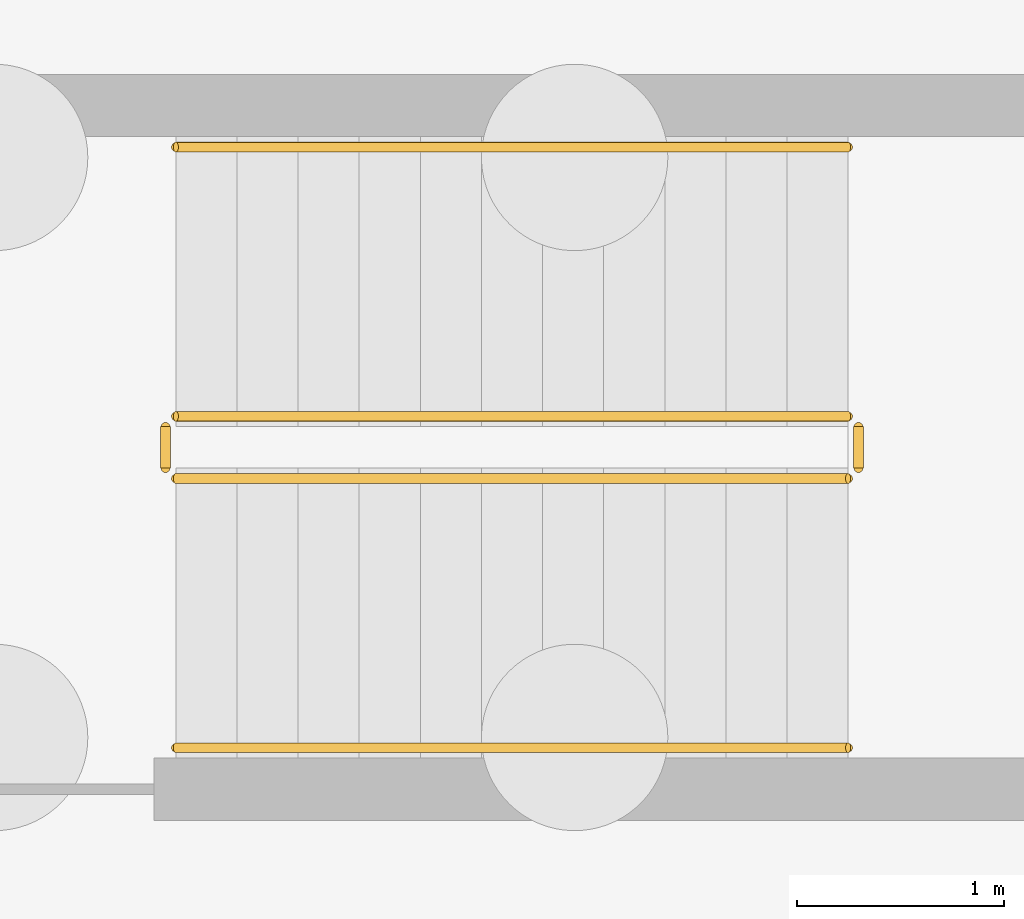
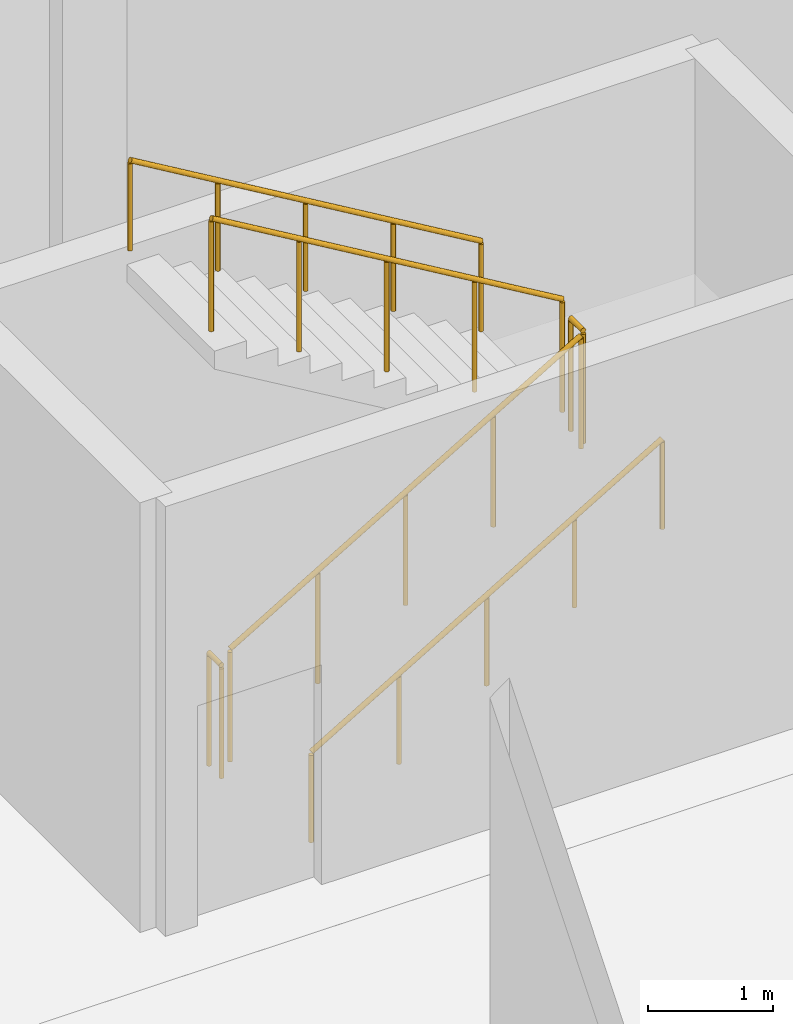
# One storey, part 42 of 43: 6 railings.
"""IFC4 building model written with IfcOpenShell, lengths in metres."""

from ifc_helpers import new_model, si_unit, direction, frame, origin, origin_2d, place, context, subcontext, project, spatial, circle, extrude, material, type_object, element, save


model = new_model("IFC4")

# Units and contexts
model_context = context("Model", 3, precision=1e-05, world=origin(), true_north=direction((0.0, 1.0)))
body_context = subcontext(model_context, "Body", "Model", "MODEL_VIEW")
ifc_project = project(units=[si_unit("LENGTHUNIT", "METRE"), si_unit("AREAUNIT", "SQUARE_METRE"), si_unit("VOLUMEUNIT", "CUBIC_METRE"), si_unit("PLANEANGLEUNIT", "RADIAN"), si_unit("MASSUNIT", "GRAM", prefix="KILO")], contexts=[model_context])

# Site, building, storey
site_placement = place(None, origin())
site = spatial("IfcSite", under=ifc_project, at=site_placement, CompositionType="ELEMENT")
building_placement = place(site_placement, origin())
building = spatial("IfcBuilding", under=site, at=building_placement, Name="Vespera Passage Community Centre", CompositionType="ELEMENT")
storey_placement = place(building_placement, frame((0.0, 0.0, -4.199951171875)))
storey = spatial("IfcBuildingStorey", under=building, at=storey_placement, Name="B1", CompositionType="ELEMENT", Elevation=-4.199951171875)

# Railings
ifc_material_1 = material(Name="Steel ASTM A500 Grade C", Category="steel")
railing_type_1 = type_object("IfcRailingType", Name="RL-HAND-900I", PredefinedType="HANDRAIL", material=ifc_material_1)
railing_1_placement = place(storey_placement, frame((141.074951171875, 97.35009765625, 0.175048828125)))
element("IfcRailing", 1, at=railing_1_placement, inside=storey, type_object=railing_type_1, Name="B1 ST07 stair handrail 1", PredefinedType="HANDRAIL", context=body_context, shape_type="SweptSolid", body=[
    extrude(circle(Radius=0.02392578125, at=origin_2d()), frame((0.0, 0.0, 0.8759765625), z_axis=(0.860085452069, 0.0, 0.510149992786), x_axis=(0.0, 1.0, 0.0)), (0.0, 0.0, 1.0), 3.77294921875),
    extrude(circle(Radius=0.02099609375, at=origin_2d()), origin(), (0.0, 0.0, 1.0), 0.851806640625),
    extrude(circle(Radius=0.02099609375, at=origin_2d()), frame((0.811279296875, 0.0, 0.481201171875)), (0.0, 0.0, 1.0), 0.851806640625),
    extrude(circle(Radius=0.02099609375, at=origin_2d()), frame((1.62255859375, 0.0, 0.96240234375)), (0.0, 0.0, 1.0), 0.851806640625),
    extrude(circle(Radius=0.02099609375, at=origin_2d()), frame((2.433837890625, 0.0, 1.443603515625)), (0.0, 0.0, 1.0), 0.851806640625),
    extrude(circle(Radius=0.02099609375, at=origin_2d()), frame((3.2451171875, 0.0, 1.9248046875)), (0.0, 0.0, 1.0), 0.851806640625),
])
railing_2_placement = place(storey_placement, frame((144.320068359375, 100.25, 2.27490234375)))
element("IfcRailing", 2, at=railing_2_placement, inside=storey, type_object=railing_type_1, Name="B1 ST07 stair handrail 2", PredefinedType="HANDRAIL", context=body_context, shape_type="SweptSolid", body=[
    extrude(circle(Radius=0.02392578125, at=origin_2d()), frame((0.0, 0.0, 0.8759765625), z_axis=(-0.860057060016, 0.0, 0.510197857224), x_axis=(0.0, -1.0, 0.0)), (0.0, 0.0, 1.0), 3.773193359375),
    extrude(circle(Radius=0.02099609375, at=origin_2d()), origin(), (0.0, 0.0, 1.0), 0.851806640625),
    extrude(circle(Radius=0.02099609375, at=origin_2d()), frame((-0.811279296875, 0.0, 0.481201171875)), (0.0, 0.0, 1.0), 0.851806640625),
    extrude(circle(Radius=0.02099609375, at=origin_2d()), frame((-1.62255859375, 0.0, 0.96240234375)), (0.0, 0.0, 1.0), 0.851806640625),
    extrude(circle(Radius=0.02099609375, at=origin_2d()), frame((-2.433837890625, 0.0, 1.44384765625)), (0.0, 0.0, 1.0), 0.851806640625),
    extrude(circle(Radius=0.02099609375, at=origin_2d()), frame((-3.2451171875, 0.0, 1.925048828125)), (0.0, 0.0, 1.0), 0.851806640625),
])
ifc_material_2 = material(Name="Steel ASTM A500 Grade C", Category="steel")
railing_type_2 = type_object("IfcRailingType", Name="RL-STAIR-1100I", PredefinedType="GUARDRAIL", material=ifc_material_2)
railing_3_placement = place(storey_placement, frame((141.074951171875, 98.64990234375, 0.175048828125)))
element("IfcRailing", 3, at=railing_3_placement, inside=storey, type_object=railing_type_2, Name="B1 ST07 stair guard 1", PredefinedType="GUARDRAIL", context=body_context, shape_type="SweptSolid", body=[
    extrude(circle(Radius=0.02392578125, at=origin_2d()), frame((0.0, 0.0, 1.09619140625), z_axis=(0.860085452069, 0.0, 0.510149992786), x_axis=(0.0, 1.0, 0.0)), (0.0, 0.0, 1.0), 3.77294921875),
    extrude(circle(Radius=0.02099609375, at=origin_2d()), origin(), (0.0, 0.0, 1.0), 1.072021484375),
    extrude(circle(Radius=0.02099609375, at=origin_2d()), frame((0.811279296875, 0.0, 0.481201171875)), (0.0, 0.0, 1.0), 1.072021484375),
    extrude(circle(Radius=0.02099609375, at=origin_2d()), frame((1.62255859375, 0.0, 0.96240234375)), (0.0, 0.0, 1.0), 1.072021484375),
    extrude(circle(Radius=0.02099609375, at=origin_2d()), frame((2.433837890625, 0.0, 1.443603515625)), (0.0, 0.0, 1.0), 1.072021484375),
    extrude(circle(Radius=0.02099609375, at=origin_2d()), frame((3.2451171875, 0.0, 1.9248046875)), (0.0, 0.0, 1.0), 1.072021484375),
])
railing_4_placement = place(storey_placement, frame((144.3701171875, 98.699951171875, 2.099853515625)))
element("IfcRailing", 4, at=railing_4_placement, inside=storey, type_object=railing_type_2, Name="B1 ST07 stair guard 2", PredefinedType="GUARDRAIL", context=body_context, shape_type="SweptSolid", body=[
    extrude(circle(Radius=0.02392578125, at=origin_2d()), frame((0.0, 0.0, 1.09619140625), z_axis=(0.0, 1.0, 0.0), x_axis=(-1.0, 0.0, 0.0)), (0.0, 0.0, 1.0), 0.199951171875),
    extrude(circle(Radius=0.02099609375, at=origin_2d()), origin(), (0.0, 0.0, 1.0), 1.072021484375),
    extrude(circle(Radius=0.02099609375, at=origin_2d()), frame((0.0, 0.199951171875, 0.0)), (0.0, 0.0, 1.0), 1.072021484375),
])
railing_5_placement = place(storey_placement, frame((144.320068359375, 98.949951171875, 2.27490234375)))
element("IfcRailing", 5, at=railing_5_placement, inside=storey, type_object=railing_type_2, Name="B1 ST07 stair guard 3", PredefinedType="GUARDRAIL", context=body_context, shape_type="SweptSolid", body=[
    extrude(circle(Radius=0.02392578125, at=origin_2d()), frame((0.0, 0.0, 1.09619140625), z_axis=(-0.860057060016, 0.0, 0.510197857224), x_axis=(0.0, -1.0, 0.0)), (0.0, 0.0, 1.0), 3.773193359375),
    extrude(circle(Radius=0.02099609375, at=origin_2d()), origin(), (0.0, 0.0, 1.0), 1.072021484375),
    extrude(circle(Radius=0.02099609375, at=origin_2d()), frame((-0.811279296875, 0.0, 0.481201171875)), (0.0, 0.0, 1.0), 1.072021484375),
    extrude(circle(Radius=0.02099609375, at=origin_2d()), frame((-1.62255859375, 0.0, 0.96240234375)), (0.0, 0.0, 1.0), 1.072021484375),
    extrude(circle(Radius=0.02099609375, at=origin_2d()), frame((-2.433837890625, 0.0, 1.44384765625)), (0.0, 0.0, 1.0), 1.072021484375),
    extrude(circle(Radius=0.02099609375, at=origin_2d()), frame((-3.2451171875, 0.0, 1.925048828125)), (0.0, 0.0, 1.0), 1.072021484375),
])
railing_6_placement = place(storey_placement, frame((141.02490234375, 98.699951171875, 0.0)))
element("IfcRailing", 6, at=railing_6_placement, inside=storey, type_object=railing_type_2, Name="B1 ST07 stair guard 4", PredefinedType="GUARDRAIL", context=body_context, shape_type="SweptSolid", body=[
    extrude(circle(Radius=0.02392578125, at=origin_2d()), frame((0.0, 0.0, 1.09619140625), z_axis=(0.0, 1.0, 0.0), x_axis=(-1.0, 0.0, 0.0)), (0.0, 0.0, 1.0), 0.199951171875),
    extrude(circle(Radius=0.02099609375, at=origin_2d()), origin(), (0.0, 0.0, 1.0), 1.072021484375),
    extrude(circle(Radius=0.02099609375, at=origin_2d()), frame((0.0, 0.199951171875, 0.0)), (0.0, 0.0, 1.0), 1.072021484375),
])

save(model, "model.ifc")
